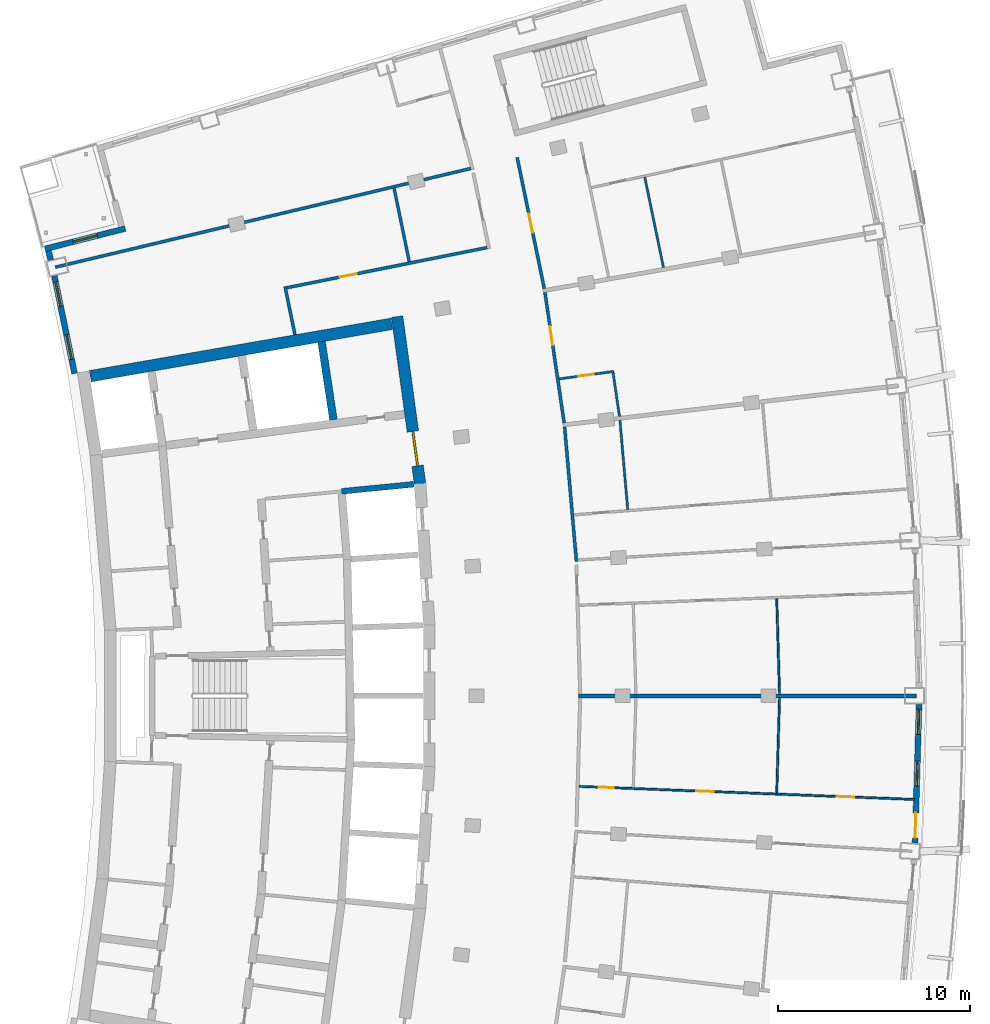
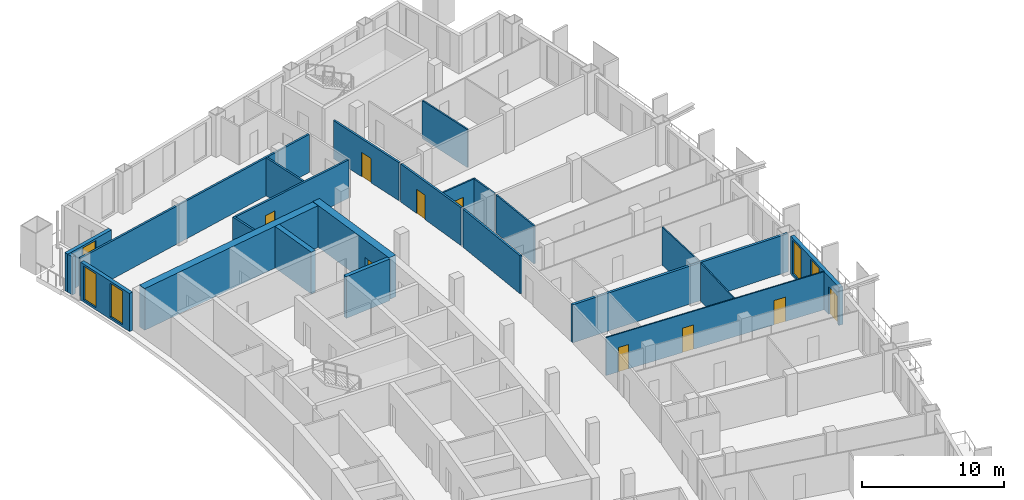
# One storey, part 13 of 19: 23 walls, 9 doors, 5 windows, 14 openings.
"""IFC4 building model written with IfcOpenShell, lengths in metres."""

import ifcopenshell
import ifcopenshell.guid

model = None  # the IFC model being written
_history = None  # IfcOwnerHistory: only IFC2X3 demands one
_inside = {}  # id of a spatial element -> (the spatial element, [elements in it])
_under = {}  # id of a project, library or spatial element -> (it, [spatial elements below it])
_declared = {}  # id of a project -> (the project, [libraries it declares])
_typed = {}  # id of a type object -> (the type object, [elements of that type])
_made_of = {}  # id of a material, layer set ... -> (it, [elements and type objects made of it])


def new_model(schema):
    """Start an empty IFC model of exactly this schema.

    Asked for "IFC4X3", IfcOpenShell would pick the latest addendum, in which some entities
    have other attributes; the version numbers below select the first issue.
    IFC2X3 requires an IfcOwnerHistory on every rooted entity: one is made here for all.
    """
    global model, _history
    if schema == "IFC4X3":
        model = ifcopenshell.file(schema_version=(4, 3, 0, 0))
    else:
        model = ifcopenshell.file(schema=schema)
    _inside.clear()
    _under.clear()
    _declared.clear()
    _typed.clear()
    _made_of.clear()
    _history = None
    if model.schema == "IFC2X3":
        org = make("IfcOrganization", Name="unknown")
        user = make(
            "IfcPersonAndOrganization",
            ThePerson=make("IfcPerson", FamilyName="unknown"),
            TheOrganization=org,
        )
        app = make(
            "IfcApplication",
            ApplicationDeveloper=org,
            Version="unknown",
            ApplicationFullName="unknown",
            ApplicationIdentifier="unknown",
        )
        _history = make(
            "IfcOwnerHistory",
            OwningUser=user,
            OwningApplication=app,
            ChangeAction="ADDED",
            CreationDate=0,
        )
    return model


def make(cls, **values):
    """One entity of the class cls with the attributes given. An attribute that is None is left unset."""
    return model.create_entity(
        cls, **{name: value for name, value in values.items() if value is not None}
    )


def rooted(cls, **values):
    """An entity with a GlobalId (a new one), such as an element, a storey or a relation."""
    return make(cls, GlobalId=ifcopenshell.guid.new(), OwnerHistory=_history, **values)


def si_unit(unit_type, name, prefix=None):
    """IfcSIUnit, for example si_unit("LENGTHUNIT", "METRE", prefix="MILLI")."""
    return make("IfcSIUnit", UnitType=unit_type, Prefix=prefix, Name=name)


def assignment(units):
    """IfcUnitAssignment: the units of a project."""
    return None if units is None else make("IfcUnitAssignment", Units=units)


def point(xyz):
    """IfcCartesianPoint."""
    return None if xyz is None else make("IfcCartesianPoint", Coordinates=xyz)


def direction(xyz):
    """IfcDirection."""
    return None if xyz is None else make("IfcDirection", DirectionRatios=xyz)


def frame(location, z_axis=None, x_axis=None):
    """IfcAxis2Placement3D, a coordinate frame: its origin and axes. An axis left out is left unset."""
    return make(
        "IfcAxis2Placement3D",
        Location=point(location),
        Axis=direction(z_axis),
        RefDirection=direction(x_axis),
    )


def frame_2d(location, x_axis=None):
    """IfcAxis2Placement2D, a coordinate frame in the plane: its origin and x axis."""
    return make(
        "IfcAxis2Placement2D", Location=point(location), RefDirection=direction(x_axis)
    )


def origin():
    """The frame at (0, 0, 0) with its axes left unset."""
    return frame((0.0, 0.0, 0.0))


def place(relative_to, where):
    """IfcLocalPlacement: puts the frame where relative to a parent placement (None: the world)."""
    return make(
        "IfcLocalPlacement", PlacementRelTo=relative_to, RelativePlacement=where
    )


def context(
    kind, dimensions, precision=None, world=None, true_north=None, identifier=None
):
    """IfcGeometricRepresentationContext, for example the 3D "Model" context."""
    return make(
        "IfcGeometricRepresentationContext",
        ContextIdentifier=identifier,
        ContextType=kind,
        CoordinateSpaceDimension=dimensions,
        Precision=precision,
        WorldCoordinateSystem=world,
        TrueNorth=true_north,
    )


def subcontext(parent, identifier, kind, view, scale=None):
    """IfcGeometricRepresentationSubContext, for example "Body" below "Model"."""
    return make(
        "IfcGeometricRepresentationSubContext",
        ContextIdentifier=identifier,
        ContextType=kind,
        ParentContext=parent,
        TargetScale=scale,
        TargetView=view,
    )


def project(units=None, contexts=None):
    """IfcProject with its units and contexts."""
    return rooted(
        "IfcProject",
        Name="project",
        RepresentationContexts=contexts,
        UnitsInContext=assignment(units),
    )


def spatial(cls, under=None, at=None, **own):
    """A site, building, storey or space (cls), placed at a placement, below another one or the project."""
    s = rooted(cls, ObjectPlacement=at, **own)
    if under is not None:
        _under.setdefault(under.id(), (under, []))[1].append(s)
    return s


def profile(cls, at=None, kind="AREA", **sizes):
    """A parametric profile (cls). Its sizes go by their IFC names, for example OverallWidth=200.0."""
    return make(cls, ProfileType=kind, Position=at, **sizes)


def rectangle(**sizes):
    """IfcRectangleProfileDef."""
    return profile("IfcRectangleProfileDef", **sizes)


def extrude(swept, where, along, depth):
    """IfcExtrudedAreaSolid: the profile swept, set in the frame where, extruded along a direction by depth."""
    return make(
        "IfcExtrudedAreaSolid",
        SweptArea=swept,
        Position=where,
        ExtrudedDirection=direction(along),
        Depth=depth,
    )


def shape(context_of_items, identifier, shape_type, items):
    """IfcShapeRepresentation: the items that make up one representation, for example the "Body"."""
    return make(
        "IfcShapeRepresentation",
        ContextOfItems=context_of_items,
        RepresentationIdentifier=identifier,
        RepresentationType=shape_type,
        Items=items,
    )


def material(Name=None, Category=None):
    """IfcMaterial."""
    return make("IfcMaterial", Name=Name, Category=Category)


def layer(
    of_material, thickness, ventilated=None, Name=None, Category=None, Priority=None
):
    """IfcMaterialLayer: one layer of a wall or slab, of a material (None: an air gap)."""
    return make(
        "IfcMaterialLayer",
        Material=of_material,
        LayerThickness=thickness,
        IsVentilated=ventilated,
        Name=Name,
        Category=Category,
        Priority=Priority,
    )


def layer_set(layers, Name=None):
    """IfcMaterialLayerSet."""
    return make("IfcMaterialLayerSet", MaterialLayers=layers, LayerSetName=Name)


def made_of(thing, what):
    """Note that an element or type object is made of a material, layer set ...; save() writes the relation."""
    if what is not None:
        _made_of.setdefault(what.id(), (what, []))[1].append(thing)
    return thing


def type_object(cls, material=None, **own):
    """A type object (cls), such as IfcWallType, which elements share."""
    return made_of(rooted(cls, **own), material)


def element(
    cls,
    number,
    at=None,
    inside=None,
    cuts=None,
    type_object=None,
    material=None,
    context=None,
    identifier="Body",
    shape_type=None,
    held_by="IfcProductDefinitionShape",
    body=None,
    shapes=None,
    **own,
):
    """One element of the class cls, such as IfcWall. Its Tag is "e" and its number.

    at: its placement. inside: the storey or other place that contains it. cuts: it is an
    opening in that element (IfcRelVoidsElement). A single representation is given by context,
    identifier, shape_type and body (its items); several are given by shapes. held_by: the class
    of the entity that holds the representations. save() writes the other relations.
    """
    e = rooted(cls, Tag="e%d" % number, ObjectPlacement=at, **own)
    if body is not None:
        shapes = [shape(context, identifier, shape_type, body)]
    if shapes is not None:
        e.Representation = make(held_by, Representations=shapes)
    if inside is not None:
        _inside.setdefault(inside.id(), (inside, []))[1].append(e)
    if cuts is not None:
        rooted(
            "IfcRelVoidsElement", RelatingBuildingElement=cuts, RelatedOpeningElement=e
        )
    if type_object is not None:
        _typed.setdefault(type_object.id(), (type_object, []))[1].append(e)
    return made_of(e, material)


def fill(opening, filler):
    """IfcRelFillsElement: the door or window that sits in an opening."""
    return rooted(
        "IfcRelFillsElement",
        RelatingOpeningElement=opening,
        RelatedBuildingElement=filler,
    )


def aggregate(whole, parts):
    """IfcRelAggregates: a whole, such as a stair, and the parts it consists of."""
    return rooted("IfcRelAggregates", RelatingObject=whole, RelatedObjects=parts)


def save(model, path):
    """Write the relations noted so far, then the file.

    IfcRelAggregates (storeys below a building ...), IfcRelContainedInSpatialStructure (elements
    in a storey), IfcRelDefinesByType, IfcRelAssociatesMaterial and IfcRelDeclares: one each for
    every whole, place, type object, material and project.
    """
    for whole, parts in _under.values():
        aggregate(whole, parts)
    for where, things in _inside.values():
        rooted(
            "IfcRelContainedInSpatialStructure",
            RelatedElements=things,
            RelatingStructure=where,
        )
    for kind, things in _typed.values():
        rooted("IfcRelDefinesByType", RelatedObjects=things, RelatingType=kind)
    for what, things in _made_of.values():
        rooted("IfcRelAssociatesMaterial", RelatedObjects=things, RelatingMaterial=what)
    for by, libraries in _declared.values():
        rooted("IfcRelDeclares", RelatingContext=by, RelatedDefinitions=libraries)
    model.write(path)


model = new_model("IFC4")

# Units and contexts
model_context = context("Model", 3, precision=1e-05, world=origin(), true_north=direction((0.0, 1.0)))
body_context = subcontext(model_context, "Body", "Model", "MODEL_VIEW")
ifc_project = project(units=[si_unit("LENGTHUNIT", "METRE"), si_unit("AREAUNIT", "SQUARE_METRE"), si_unit("VOLUMEUNIT", "CUBIC_METRE"), si_unit("PLANEANGLEUNIT", "RADIAN"), si_unit("MASSUNIT", "GRAM", prefix="KILO")], contexts=[model_context])

# Site, building, storey
site_placement = place(None, origin())
site = spatial("IfcSite", under=ifc_project, at=site_placement, CompositionType="ELEMENT")
building_placement = place(site_placement, origin())
building = spatial("IfcBuilding", under=site, at=building_placement, Name="Alderwake Tower", CompositionType="ELEMENT")
storey_placement = place(building_placement, frame((0.0, 0.0, 192.800048828125)))
storey = spatial("IfcBuildingStorey", under=building, at=storey_placement, Name="L47", CompositionType="ELEMENT", Elevation=192.800048828125)

# Wall, opening, door
ifc_material_1 = material(Name="Concrete C70/85", Category="concrete")
ifc_layer_1 = layer(ifc_material_1, 0.60009765625)
ifc_layer_set_1 = layer_set([ifc_layer_1], Name="Core wall outer 600 C70-85")
wall_type_1 = type_object("IfcWallType", Name="Core wall outer 600 C70-85", PredefinedType="SHEAR", material=ifc_layer_set_1)
wall_1_placement = place(storey_placement, frame((31.66796875, 80.743896484375, 0.0), z_axis=(0.0, 0.0, 1.0), x_axis=(0.135856583698, -0.990728514108, 0.0)))
wall_1 = element("IfcWall", 1, at=wall_1_placement, inside=storey, type_object=wall_type_1, Name="Core wall CW.014", PredefinedType="SHEAR", context=body_context, shape_type="SweptSolid", body=[
    extrude(rectangle(XDim=8.79296875, YDim=0.60009765625, at=frame_2d((4.396484375, 0.0))), origin(), (0.0, 0.0, 1.0), 3.599853515625),
])
opening_1_placement = place(wall_1_placement, frame((6.038818359375, 0.0, 0.0)))
opening_1 = element("IfcOpeningElement", 2, at=opening_1_placement, cuts=wall_1, Name="Opening C001", PredefinedType="OPENING", context=body_context, shape_type="SweptSolid", body=[
    extrude(rectangle(XDim=1.800048828125, YDim=2.10009765625, at=frame_2d((0.89990234375, 1.050048828125))), frame((0.0, 0.31005859375, 0.0), z_axis=(0.0, -1.0, 0.0), x_axis=(1.0, 0.0, 0.0)), (0.0, 0.0, 1.0), 0.6201171875),
])
ifc_material_2 = material(Name="Steel-framed fire door leaves", Category="steel")
door_type_1 = type_object("IfcDoorType", Name="Core double door 1800 fire-rated", OperationType="DOUBLE_DOOR_SINGLE_SWING", PredefinedType="DOOR", material=ifc_material_2)
door_1_placement = place(opening_1_placement, origin())
door_1 = element("IfcDoor", 3, at=door_1_placement, inside=storey, type_object=door_type_1, Name="Lobby double door", OperationType="DOUBLE_DOOR_SINGLE_SWING", OverallHeight=2.10009765625, OverallWidth=1.800048828125, PredefinedType="DOOR", context=body_context, shape_type="SweptSolid", body=[
    extrude(rectangle(XDim=1.800048828125, YDim=2.10009765625, at=frame_2d((0.89990234375, 1.050048828125))), frame((0.0, 0.050048828125, 0.0), z_axis=(0.0, -1.0, 0.0), x_axis=(1.0, 0.0, 0.0)), (0.0, 0.0, 1.0), 0.10009765625),
])
fill(opening_1, door_1)

# Walls
wall_2_placement = place(storey_placement, frame((15.68896484375, 77.6357421875, 0.0), z_axis=(0.0, 0.0, 1.0), x_axis=(0.985223223422, 0.17127521721, 0.0)))
element("IfcWall", 4, at=wall_2_placement, inside=storey, type_object=wall_type_1, Name="Core wall CW.055", PredefinedType="SHEAR", context=body_context, shape_type="SweptSolid", body=[
    extrude(rectangle(XDim=15.933349609375, YDim=0.60009765625, at=frame_2d((7.966796875, 0.0))), origin(), (0.0, 0.0, 1.0), 3.599853515625),
])
ifc_material_3 = material(Name="Concrete C70/85", Category="concrete")
ifc_layer_2 = layer(ifc_material_3, 0.300048828125)
ifc_layer_set_2 = layer_set([ifc_layer_2], Name="Core wall shaft 300 C70-85")
wall_type_2 = type_object("IfcWallType", Name="Core wall shaft 300 C70-85", PredefinedType="SHEAR", material=ifc_layer_set_2)
wall_3_placement = place(storey_placement, frame((28.780517578125, 71.644287109375, 0.0), z_axis=(0.0, 0.0, 1.0), x_axis=(0.995245280185, 0.097400370992, 0.0)))
element("IfcWall", 5, at=wall_3_placement, inside=storey, type_object=wall_type_2, Name="Core wall CW.049", PredefinedType="SHEAR", context=body_context, shape_type="SweptSolid", body=[
    extrude(rectangle(XDim=3.769775390625, YDim=0.300048828125, at=frame_2d((1.884765625, 0.0))), origin(), (0.0, 0.0, 1.0), 3.599853515625),
])
ifc_material_4 = material(Name="Concrete C70/85", Category="concrete")
ifc_layer_3 = layer(ifc_material_4, 0.39990234375)
ifc_layer_set_3 = layer_set([ifc_layer_3], Name="Core wall spine 400 C70-85")
wall_type_3 = type_object("IfcWallType", Name="Core wall spine 400 C70-85", PredefinedType="SHEAR", material=ifc_layer_set_3)
wall_4_placement = place(storey_placement, frame((28.350830078125, 75.373291015625, 0.0), z_axis=(0.0, 0.0, 1.0), x_axis=(-0.150143035921, 0.988664285167, 0.0)))
element("IfcWall", 6, at=wall_4_placement, inside=storey, type_object=wall_type_3, Name="Core wall CW.001", PredefinedType="SHEAR", context=body_context, shape_type="SweptSolid", body=[
    extrude(rectangle(XDim=4.1123046875, YDim=0.39990234375, at=frame_2d((2.05615234375, 0.0))), origin(), (0.0, 0.0, 1.0), 3.599853515625),
])
ifc_material_5 = material(Name="Gypsum board on metal studs, rated")
ifc_layer_4 = layer(ifc_material_5, 0.159912109375)
ifc_layer_set_4 = layer_set([ifc_layer_4], Name="Corridor wall 160")
wall_type_4 = type_object("IfcWallType", Name="Corridor wall 160", PredefinedType="PARTITIONING", material=ifc_layer_set_4)
wall_5_placement = place(storey_placement, frame((25.831787109375, 82.305419921875, 0.0), z_axis=(0.0, 0.0, 1.0), x_axis=(0.202450797205, -0.979292435747, 0.0)))
element("IfcWall", 7, at=wall_5_placement, inside=storey, type_object=wall_type_4, Name="WL/L47/W11", PredefinedType="PARTITIONING", context=body_context, shape_type="SweptSolid", body=[
    extrude(rectangle(XDim=2.555419921875, YDim=0.159912109375, at=frame_2d((1.27783203125, 0.0))), origin(), (0.0, 0.0, 1.0), 3.280029296875),
])
wall_6_placement = place(storey_placement, frame((35.502197265625, 88.451416015625, 0.0), z_axis=(0.0, 0.0, 1.0), x_axis=(-0.972894913244, -0.231247676278, 0.0)))
element("IfcWall", 8, at=wall_6_placement, inside=storey, type_object=wall_type_4, Name="WL/L47/W16", PredefinedType="PARTITIONING", context=body_context, shape_type="SweptSolid", body=[
    extrude(rectangle(XDim=22.220458984375, YDim=0.159912109375, at=frame_2d((11.1103515625, 0.0))), origin(), (0.0, 0.0, 1.0), 3.280029296875),
])

# Wall, opening, door
wall_7_placement = place(storey_placement, frame((25.926513671875, 82.24267578125, 0.0), z_axis=(0.0, 0.0, 1.0), x_axis=(0.98046310274, 0.196703086316, 0.0)))
wall_7 = element("IfcWall", 9, at=wall_7_placement, inside=storey, type_object=wall_type_4, Name="WL/L47/W19", PredefinedType="PARTITIONING", context=body_context, shape_type="SweptSolid", body=[
    extrude(rectangle(XDim=10.637939453125, YDim=0.159912109375, at=frame_2d((5.31884765625, 0.0))), origin(), (0.0, 0.0, 1.0), 3.280029296875),
])
opening_2_placement = place(wall_7_placement, frame((2.80908203125, 0.0, 0.0)))
opening_2 = element("IfcOpeningElement", 10, at=opening_2_placement, cuts=wall_7, Name="Opening R13-SBN1", PredefinedType="OPENING", context=body_context, shape_type="SweptSolid", body=[
    extrude(rectangle(XDim=0.89990234375, YDim=2.10009765625, at=frame_2d((0.449951171875, 1.050048828125))), frame((0.0, 0.08984375, 0.0), z_axis=(0.0, -1.0, 0.0), x_axis=(1.0, 0.0, 0.0)), (0.0, 0.0, 1.0), 0.179931640625),
])
ifc_material_6 = material(Name="Painted timber leaf", Category="wood")
door_type_2 = type_object("IfcDoorType", Name="Room door 900", OperationType="SINGLE_SWING_LEFT", PredefinedType="DOOR", material=ifc_material_6)
door_2_placement = place(opening_2_placement, origin())
door_2 = element("IfcDoor", 11, at=door_2_placement, inside=storey, type_object=door_type_2, Name="DR/L47/SBN1", OperationType="SINGLE_SWING_LEFT", OverallHeight=2.10009765625, OverallWidth=0.89990234375, PredefinedType="DOOR", context=body_context, shape_type="SweptSolid", body=[
    extrude(rectangle(XDim=0.89990234375, YDim=2.10009765625, at=frame_2d((0.449951171875, 1.050048828125))), frame((0.0, 0.02490234375, 0.0), z_axis=(0.0, -1.0, 0.0), x_axis=(1.0, 0.0, 0.0)), (0.0, 0.0, 1.0), 0.050048828125),
])
fill(opening_2, door_2)

wall_8_placement = place(storey_placement, frame((37.9169921875, 89.02490234375, 0.0), z_axis=(0.0, 0.0, 1.0), x_axis=(0.202416809878, -0.97929946139, 0.0)))
wall_8 = element("IfcWall", 12, at=wall_8_placement, inside=storey, type_object=wall_type_4, Name="WL/L47/W22", PredefinedType="PARTITIONING", context=body_context, shape_type="SweptSolid", body=[
    extrude(rectangle(XDim=6.97021484375, YDim=0.159912109375, at=frame_2d((3.485107421875, 0.0))), origin(), (0.0, 0.0, 1.0), 3.280029296875),
])
opening_3_placement = place(wall_8_placement, frame((2.985595703125, 0.0, 0.0)))
opening_3 = element("IfcOpeningElement", 13, at=opening_3_placement, cuts=wall_8, Name="Opening R13-U07.2", PredefinedType="OPENING", context=body_context, shape_type="SweptSolid", body=[
    extrude(rectangle(XDim=1.0, YDim=2.10009765625, at=frame_2d((0.5, 1.050048828125))), frame((0.0, 0.08984375, 0.0), z_axis=(0.0, -1.0, 0.0), x_axis=(1.0, 0.0, 0.0)), (0.0, 0.0, 1.0), 0.179931640625),
])
ifc_material_7 = material(Name="Solid timber leaf in steel frame", Category="steel")
door_type_3 = type_object("IfcDoorType", Name="Flat entrance door 1000 fire-rated", OperationType="SINGLE_SWING_LEFT", PredefinedType="DOOR", material=ifc_material_7)
door_3_placement = place(opening_3_placement, origin())
door_3 = element("IfcDoor", 14, at=door_3_placement, inside=storey, type_object=door_type_3, Name="DR/L47/U07.2", OperationType="SINGLE_SWING_LEFT", OverallHeight=2.10009765625, OverallWidth=1.0, PredefinedType="DOOR", context=body_context, shape_type="SweptSolid", body=[
    extrude(rectangle(XDim=1.0, YDim=2.10009765625, at=frame_2d((0.5, 1.050048828125))), frame((0.0, 0.02490234375, 0.0), z_axis=(0.0, -1.0, 0.0), x_axis=(1.0, 0.0, 0.0)), (0.0, 0.0, 1.0), 0.050048828125),
])
fill(opening_3, door_3)

wall_9_placement = place(storey_placement, frame((39.362548828125, 82.001953125, 0.0), z_axis=(0.0, 0.0, 1.0), x_axis=(0.145565626222, -0.98934859805, 0.0)))
wall_9 = element("IfcWall", 15, at=wall_9_placement, inside=storey, type_object=wall_type_4, Name="WL/L47/W24", PredefinedType="PARTITIONING", context=body_context, shape_type="SweptSolid", body=[
    extrude(rectangle(XDim=6.8681640625, YDim=0.159912109375, at=frame_2d((3.43408203125, 0.0))), origin(), (0.0, 0.0, 1.0), 3.280029296875),
])
opening_4_placement = place(wall_9_placement, frame((1.782470703125, 0.0, 0.0)))
opening_4 = element("IfcOpeningElement", 16, at=opening_4_placement, cuts=wall_9, Name="Opening R13-U06.1", PredefinedType="OPENING", context=body_context, shape_type="SweptSolid", body=[
    extrude(rectangle(XDim=1.0, YDim=2.10009765625, at=frame_2d((0.5, 1.050048828125))), frame((0.0, 0.08984375, 0.0), z_axis=(0.0, -1.0, 0.0), x_axis=(1.0, 0.0, 0.0)), (0.0, 0.0, 1.0), 0.179931640625),
])
door_4_placement = place(opening_4_placement, origin())
door_4 = element("IfcDoor", 17, at=door_4_placement, inside=storey, type_object=door_type_3, Name="DR/L47/U06.1", OperationType="SINGLE_SWING_LEFT", OverallHeight=2.10009765625, OverallWidth=1.0, PredefinedType="DOOR", context=body_context, shape_type="SweptSolid", body=[
    extrude(rectangle(XDim=1.0, YDim=2.10009765625, at=frame_2d((0.5, 1.050048828125))), frame((0.0, 0.02490234375, 0.0), z_axis=(0.0, -1.0, 0.0), x_axis=(1.0, 0.0, 0.0)), (0.0, 0.0, 1.0), 0.050048828125),
])
fill(opening_4, door_4)

# Wall
wall_10_placement = place(storey_placement, frame((41.001953125, 67.9873046875, 0.0), z_axis=(0.0, 0.0, 1.0), x_axis=(-0.087430787456, 0.996170596537, 0.0)))
element("IfcWall", 18, at=wall_10_placement, inside=storey, type_object=wall_type_4, Name="WL/L47/W26", PredefinedType="PARTITIONING", context=body_context, shape_type="SweptSolid", body=[
    extrude(rectangle(XDim=7.048095703125, YDim=0.159912109375, at=frame_2d((3.52392578125, 0.0))), origin(), (0.0, 0.0, 1.0), 3.280029296875),
])

# Wall, openings, door, windows
ifc_material_8 = material(Name="Precast concrete C50/60 spandrel panel", Category="concrete")
ifc_layer_5 = layer(ifc_material_8, 0.300048828125)
ifc_layer_set_5 = layer_set([ifc_layer_5], Name="External wall EW1 Precast concrete C50/60 spandrel")
wall_type_5 = type_object("IfcWallType", Name="External wall EW1 Precast concrete C50/60 spandrel", PredefinedType="SOLIDWALL", material=ifc_layer_set_5)
wall_11_placement = place(storey_placement, frame((58.626708984375, 53.352294921875, 0.0), z_axis=(0.0, 0.0, 1.0), x_axis=(0.0291809358, 0.999574145817, 0.0)))
wall_11 = element("IfcWall", 19, at=wall_11_placement, inside=storey, type_object=wall_type_5, Name="External wall 15", PredefinedType="SOLIDWALL", context=body_context, shape_type="SweptSolid", body=[
    extrude(rectangle(XDim=7.20361328125, YDim=0.300048828125, at=frame_2d((3.601806640625, 0.0))), origin(), (0.0, 0.0, 1.0), 3.280029296875),
])
opening_5_placement = place(wall_11_placement, frame((0.257080078125, 0.0, 0.0)))
opening_5 = element("IfcOpeningElement", 20, at=opening_5_placement, cuts=wall_11, Name="Opening D04", PredefinedType="OPENING", context=body_context, shape_type="SweptSolid", body=[
    extrude(rectangle(XDim=1.300048828125, YDim=2.39990234375, at=frame_2d((0.64990234375, 1.199951171875))), frame((0.0, 0.159912109375, 0.0), z_axis=(0.0, -1.0, 0.0), x_axis=(1.0, 0.0, 0.0)), (0.0, 0.0, 1.0), 0.320068359375),
])
opening_6_placement = place(wall_11_placement, frame((2.951904296875, 0.0, 0.199951171875)))
opening_6 = element("IfcOpeningElement", 21, at=opening_6_placement, cuts=wall_11, Name="Opening W1", PredefinedType="OPENING", context=body_context, shape_type="SweptSolid", body=[
    extrude(rectangle(XDim=1.300048828125, YDim=2.89990234375, at=frame_2d((0.64990234375, 1.449951171875))), frame((0.0, 0.159912109375, 0.0), z_axis=(0.0, -1.0, 0.0), x_axis=(1.0, 0.0, 0.0)), (0.0, 0.0, 1.0), 0.320068359375),
])
opening_7_placement = place(wall_11_placement, frame((5.646484375, 0.0, 0.199951171875)))
opening_7 = element("IfcOpeningElement", 22, at=opening_7_placement, cuts=wall_11, Name="Opening W1", PredefinedType="OPENING", context=body_context, shape_type="SweptSolid", body=[
    extrude(rectangle(XDim=1.300048828125, YDim=2.89990234375, at=frame_2d((0.64990234375, 1.449951171875))), frame((0.0, 0.159912109375, 0.0), z_axis=(0.0, -1.0, 0.0), x_axis=(1.0, 0.0, 0.0)), (0.0, 0.0, 1.0), 0.320068359375),
])
ifc_material_9 = material(Name="Bronze tinted glass in aluminium frame", Category="aluminium")
door_type_4 = type_object("IfcDoorType", Name="Balcony door BD sliding", OperationType="SLIDING_TO_LEFT", PredefinedType="DOOR", material=ifc_material_9)
door_5_placement = place(opening_5_placement, origin())
door_5 = element("IfcDoor", 23, at=door_5_placement, inside=storey, type_object=door_type_4, Name="Door D04", OperationType="SLIDING_TO_LEFT", OverallHeight=2.39990234375, OverallWidth=1.300048828125, PredefinedType="DOOR", context=body_context, shape_type="SweptSolid", body=[
    extrude(rectangle(XDim=1.300048828125, YDim=2.39990234375, at=frame_2d((0.64990234375, 1.199951171875))), frame((0.0, 0.02490234375, 0.0), z_axis=(0.0, -1.0, 0.0), x_axis=(1.0, 0.0, 0.0)), (0.0, 0.0, 1.0), 0.050048828125),
])
fill(opening_5, door_5)
ifc_material_10 = material(Name="Bronze tinted glass in aluminium frame", Category="aluminium")
window_type = type_object("IfcWindowType", Name="Window W1 tall fixed and vent", PartitioningType="DOUBLE_PANEL_VERTICAL", PredefinedType="WINDOW", material=ifc_material_10)
window_1_placement = place(opening_6_placement, origin())
window_1 = element("IfcWindow", 24, at=window_1_placement, inside=storey, type_object=window_type, Name="Window W1 tall fixed and vent", OverallHeight=2.89990234375, OverallWidth=1.300048828125, PartitioningType="DOUBLE_PANEL_VERTICAL", PredefinedType="WINDOW", context=body_context, shape_type="SweptSolid", body=[
    extrude(rectangle(XDim=1.300048828125, YDim=2.89990234375, at=frame_2d((0.64990234375, 1.449951171875))), frame((0.0, 0.030029296875, 0.0), z_axis=(0.0, -1.0, 0.0), x_axis=(1.0, 0.0, 0.0)), (0.0, 0.0, 1.0), 0.06005859375),
])
fill(opening_6, window_1)
window_2_placement = place(opening_7_placement, origin())
window_2 = element("IfcWindow", 25, at=window_2_placement, inside=storey, type_object=window_type, Name="Window W1 tall fixed and vent", OverallHeight=2.89990234375, OverallWidth=1.300048828125, PartitioningType="DOUBLE_PANEL_VERTICAL", PredefinedType="WINDOW", context=body_context, shape_type="SweptSolid", body=[
    extrude(rectangle(XDim=1.300048828125, YDim=2.89990234375, at=frame_2d((0.64990234375, 1.449951171875))), frame((0.0, 0.030029296875, 0.0), z_axis=(0.0, -1.0, 0.0), x_axis=(1.0, 0.0, 0.0)), (0.0, 0.0, 1.0), 0.06005859375),
])
fill(opening_7, window_2)

# Wall
wall_12_placement = place(storey_placement, frame((13.523193359375, 84.1572265625, 0.0), z_axis=(0.0, 0.0, 1.0), x_axis=(0.238448700846, -0.971155094238, 0.0)))
element("IfcWall", 26, at=wall_12_placement, inside=storey, type_object=wall_type_5, Name="External wall 30", PredefinedType="SOLIDWALL", context=body_context, shape_type="SweptSolid", body=[
    extrude(rectangle(XDim=0.47802734375, YDim=0.300048828125, at=frame_2d((0.239013671875, 0.0))), origin(), (0.0, 0.0, 1.0), 3.280029296875),
])

# Wall, openings, windows
wall_13_placement = place(storey_placement, frame((13.826904296875, 82.8544921875, 0.0), z_axis=(0.0, 0.0, 1.0), x_axis=(0.202730149235, -0.979234643276, 0.0)))
wall_13 = element("IfcWall", 27, at=wall_13_placement, inside=storey, type_object=wall_type_5, Name="External wall 31", PredefinedType="SOLIDWALL", context=body_context, shape_type="SweptSolid", body=[
    extrude(rectangle(XDim=5.185546875, YDim=0.300048828125, at=frame_2d((2.5927734375, 0.0))), origin(), (0.0, 0.0, 1.0), 3.280029296875),
])
opening_8_placement = place(wall_13_placement, frame((0.316162109375, 0.0, 0.199951171875)))
opening_8 = element("IfcOpeningElement", 28, at=opening_8_placement, cuts=wall_13, Name="Opening W1", PredefinedType="OPENING", context=body_context, shape_type="SweptSolid", body=[
    extrude(rectangle(XDim=1.300048828125, YDim=2.89990234375, at=frame_2d((0.64990234375, 1.449951171875))), frame((0.0, 0.159912109375, 0.0), z_axis=(0.0, -1.0, 0.0), x_axis=(1.0, 0.0, 0.0)), (0.0, 0.0, 1.0), 0.320068359375),
])
opening_9_placement = place(wall_13_placement, frame((3.12890625, 0.0, 0.199951171875)))
opening_9 = element("IfcOpeningElement", 29, at=opening_9_placement, cuts=wall_13, Name="Opening W1", PredefinedType="OPENING", context=body_context, shape_type="SweptSolid", body=[
    extrude(rectangle(XDim=1.300048828125, YDim=2.89990234375, at=frame_2d((0.64990234375, 1.449951171875))), frame((0.0, 0.159912109375, 0.0), z_axis=(0.0, -1.0, 0.0), x_axis=(1.0, 0.0, 0.0)), (0.0, 0.0, 1.0), 0.320068359375),
])
window_3_placement = place(opening_8_placement, origin())
window_3 = element("IfcWindow", 30, at=window_3_placement, inside=storey, type_object=window_type, Name="Window W1 tall fixed and vent", OverallHeight=2.89990234375, OverallWidth=1.300048828125, PartitioningType="DOUBLE_PANEL_VERTICAL", PredefinedType="WINDOW", context=body_context, shape_type="SweptSolid", body=[
    extrude(rectangle(XDim=1.300048828125, YDim=2.89990234375, at=frame_2d((0.64990234375, 1.449951171875))), frame((0.0, 0.030029296875, 0.0), z_axis=(0.0, -1.0, 0.0), x_axis=(1.0, 0.0, 0.0)), (0.0, 0.0, 1.0), 0.06005859375),
])
fill(opening_8, window_3)
window_4_placement = place(opening_9_placement, origin())
window_4 = element("IfcWindow", 31, at=window_4_placement, inside=storey, type_object=window_type, Name="Window W1 tall fixed and vent", OverallHeight=2.89990234375, OverallWidth=1.300048828125, PartitioningType="DOUBLE_PANEL_VERTICAL", PredefinedType="WINDOW", context=body_context, shape_type="SweptSolid", body=[
    extrude(rectangle(XDim=1.300048828125, YDim=2.89990234375, at=frame_2d((0.64990234375, 1.449951171875))), frame((0.0, 0.030029296875, 0.0), z_axis=(0.0, -1.0, 0.0), x_axis=(1.0, 0.0, 0.0)), (0.0, 0.0, 1.0), 0.06005859375),
])
fill(opening_9, window_4)

# Wall, opening, window
ifc_material_11 = material(Name="Bronze metal cladding on lightweight framing")
ifc_layer_6 = layer(ifc_material_11, 0.300048828125)
ifc_layer_set_6 = layer_set([ifc_layer_6], Name="External wall EW2 bronze metal cladding")
wall_type_6 = type_object("IfcWallType", Name="External wall EW2 bronze metal cladding", PredefinedType="SOLIDWALL", material=ifc_layer_set_6)
wall_14_placement = place(storey_placement, frame((17.51611328125, 85.32275390625, 0.0), z_axis=(0.0, 0.0, 1.0), x_axis=(-0.969417740682, -0.245416470617, 0.0)))
wall_14 = element("IfcWall", 32, at=wall_14_placement, inside=storey, type_object=wall_type_6, Name="External wall 29", PredefinedType="SOLIDWALL", context=body_context, shape_type="SweptSolid", body=[
    extrude(rectangle(XDim=4.305419921875, YDim=0.300048828125, at=frame_2d((2.15283203125, 0.0))), origin(), (0.0, 0.0, 1.0), 3.280029296875),
])
opening_10_placement = place(wall_14_placement, frame((1.502685546875, 0.0, 0.199951171875)))
opening_10 = element("IfcOpeningElement", 33, at=opening_10_placement, cuts=wall_14, Name="Opening W1", PredefinedType="OPENING", context=body_context, shape_type="SweptSolid", body=[
    extrude(rectangle(XDim=1.300048828125, YDim=2.89990234375, at=frame_2d((0.64990234375, 1.449951171875))), frame((0.0, 0.159912109375, 0.0), z_axis=(0.0, -1.0, 0.0), x_axis=(1.0, 0.0, 0.0)), (0.0, 0.0, 1.0), 0.320068359375),
])
window_5_placement = place(opening_10_placement, origin())
window_5 = element("IfcWindow", 34, at=window_5_placement, inside=storey, type_object=window_type, Name="Window W1 tall fixed and vent", OverallHeight=2.89990234375, OverallWidth=1.300048828125, PartitioningType="DOUBLE_PANEL_VERTICAL", PredefinedType="WINDOW", context=body_context, shape_type="SweptSolid", body=[
    extrude(rectangle(XDim=1.300048828125, YDim=2.89990234375, at=frame_2d((0.64990234375, 1.449951171875))), frame((0.0, 0.030029296875, 0.0), z_axis=(0.0, -1.0, 0.0), x_axis=(1.0, 0.0, 0.0)), (0.0, 0.0, 1.0), 0.06005859375),
])
fill(opening_10, window_5)

# Walls
ifc_material_12 = material(Name="Dense block masonry wall", Category="masonry")
ifc_layer_7 = layer(ifc_material_12, 0.199951171875)
ifc_layer_set_7 = layer_set([ifc_layer_7], Name="Party wall 200")
wall_type_7 = type_object("IfcWallType", Name="Party wall 200", PredefinedType="SOLIDWALL", material=ifc_layer_set_7)
wall_15_placement = place(storey_placement, frame((58.700927734375, 60.9990234375, 0.0), z_axis=(0.0, 0.0, 1.0), x_axis=(-1.0, 0.0, 0.0)))
element("IfcWall", 35, at=wall_15_placement, inside=storey, type_object=wall_type_7, Name="WL/L47/W03", PredefinedType="SOLIDWALL", context=body_context, shape_type="SweptSolid", body=[
    extrude(rectangle(XDim=17.58203125, YDim=0.199951171875, at=frame_2d((8.791015625, 0.0))), origin(), (0.0, 0.0, 1.0), 3.280029296875),
])
ifc_material_13 = material(Name="Gypsum shaft wall system, rated")
ifc_layer_8 = layer(ifc_material_13, 0.14990234375)
ifc_layer_set_8 = layer_set([ifc_layer_8], Name="Riser and shaft wall 150")
wall_type_8 = type_object("IfcWallType", Name="Riser and shaft wall 150", PredefinedType="PARTITIONING", material=ifc_layer_set_8)
wall_16_placement = place(storey_placement, frame((32.2998046875, 83.601318359375, 0.0), z_axis=(0.0, 0.0, 1.0), x_axis=(-0.202493797034, 0.979283545334, 0.0)))
element("IfcWall", 36, at=wall_16_placement, inside=storey, type_object=wall_type_8, Name="WL/L47/W05", PredefinedType="PARTITIONING", context=body_context, shape_type="SweptSolid", body=[
    extrude(rectangle(XDim=3.899169921875, YDim=0.14990234375, at=frame_2d((1.94970703125, 0.0))), origin(), (0.0, 0.0, 1.0), 3.280029296875),
])

# Wall, openings, doors
ifc_material_14 = material(Name="Gypsum board on metal studs")
ifc_layer_9 = layer(ifc_material_14, 0.10009765625)
ifc_layer_set_9 = layer_set([ifc_layer_9], Name="Unit partition 100")
wall_type_9 = type_object("IfcWallType", Name="Unit partition 100", PredefinedType="PARTITIONING", material=ifc_layer_set_9)
wall_17_placement = place(storey_placement, frame((41.143798828125, 56.285888671875, 0.0), z_axis=(0.0, 0.0, 1.0), x_axis=(0.999246022294, -0.038825081205, 0.0)))
wall_17 = element("IfcWall", 37, at=wall_17_placement, inside=storey, type_object=wall_type_9, Name="WL/L47/W46", PredefinedType="PARTITIONING", context=body_context, shape_type="SweptSolid", body=[
    extrude(rectangle(XDim=17.46240234375, YDim=0.10009765625, at=frame_2d((8.731201171875, 0.0))), origin(), (0.0, 0.0, 1.0), 3.280029296875),
])
opening_11_placement = place(wall_17_placement, frame((6.104248046875, 0.0, 0.0)))
opening_11 = element("IfcOpeningElement", 38, at=opening_11_placement, cuts=wall_17, Name="Opening R13-U04.5", PredefinedType="OPENING", context=body_context, shape_type="SweptSolid", body=[
    extrude(rectangle(XDim=0.89990234375, YDim=2.10009765625, at=frame_2d((0.449951171875, 1.050048828125))), frame((0.0, 0.06005859375, 0.0), z_axis=(0.0, -1.0, 0.0), x_axis=(1.0, 0.0, 0.0)), (0.0, 0.0, 1.0), 0.1201171875),
])
opening_12_placement = place(wall_17_placement, frame((1.0087890625, 0.0, 0.0)))
opening_12 = element("IfcOpeningElement", 39, at=opening_12_placement, cuts=wall_17, Name="Opening R13-U04.6", PredefinedType="OPENING", context=body_context, shape_type="SweptSolid", body=[
    extrude(rectangle(XDim=0.800048828125, YDim=2.10009765625, at=frame_2d((0.39990234375, 1.050048828125))), frame((0.0, 0.06005859375, 0.0), z_axis=(0.0, -1.0, 0.0), x_axis=(1.0, 0.0, 0.0)), (0.0, 0.0, 1.0), 0.1201171875),
])
opening_13_placement = place(wall_17_placement, frame((13.426025390625, 0.0, 0.0)))
opening_13 = element("IfcOpeningElement", 40, at=opening_13_placement, cuts=wall_17, Name="Opening R13-U04.7", PredefinedType="OPENING", context=body_context, shape_type="SweptSolid", body=[
    extrude(rectangle(XDim=0.89990234375, YDim=2.10009765625, at=frame_2d((0.449951171875, 1.050048828125))), frame((0.0, 0.06005859375, 0.0), z_axis=(0.0, -1.0, 0.0), x_axis=(1.0, 0.0, 0.0)), (0.0, 0.0, 1.0), 0.1201171875),
])
ifc_material_15 = material(Name="Painted timber leaf", Category="wood")
door_type_5 = type_object("IfcDoorType", Name="Bathroom door 800", OperationType="SINGLE_SWING_LEFT", PredefinedType="DOOR", material=ifc_material_15)
door_6_placement = place(opening_12_placement, origin())
door_6 = element("IfcDoor", 41, at=door_6_placement, inside=storey, type_object=door_type_5, Name="DR/L47/U04.6", OperationType="SINGLE_SWING_LEFT", OverallHeight=2.10009765625, OverallWidth=0.800048828125, PredefinedType="DOOR", context=body_context, shape_type="SweptSolid", body=[
    extrude(rectangle(XDim=0.800048828125, YDim=2.10009765625, at=frame_2d((0.39990234375, 1.050048828125))), frame((0.0, 0.02490234375, 0.0), z_axis=(0.0, -1.0, 0.0), x_axis=(1.0, 0.0, 0.0)), (0.0, 0.0, 1.0), 0.050048828125),
])
fill(opening_12, door_6)
door_7_placement = place(opening_11_placement, origin())
door_7 = element("IfcDoor", 42, at=door_7_placement, inside=storey, type_object=door_type_2, Name="DR/L47/U04.5", OperationType="SINGLE_SWING_LEFT", OverallHeight=2.10009765625, OverallWidth=0.89990234375, PredefinedType="DOOR", context=body_context, shape_type="SweptSolid", body=[
    extrude(rectangle(XDim=0.89990234375, YDim=2.10009765625, at=frame_2d((0.449951171875, 1.050048828125))), frame((0.0, 0.02490234375, 0.0), z_axis=(0.0, -1.0, 0.0), x_axis=(1.0, 0.0, 0.0)), (0.0, 0.0, 1.0), 0.050048828125),
])
fill(opening_11, door_7)
door_8_placement = place(opening_13_placement, origin())
door_8 = element("IfcDoor", 43, at=door_8_placement, inside=storey, type_object=door_type_2, Name="DR/L47/U04.7", OperationType="SINGLE_SWING_LEFT", OverallHeight=2.10009765625, OverallWidth=0.89990234375, PredefinedType="DOOR", context=body_context, shape_type="SweptSolid", body=[
    extrude(rectangle(XDim=0.89990234375, YDim=2.10009765625, at=frame_2d((0.449951171875, 1.050048828125))), frame((0.0, 0.02490234375, 0.0), z_axis=(0.0, -1.0, 0.0), x_axis=(1.0, 0.0, 0.0)), (0.0, 0.0, 1.0), 0.050048828125),
])
fill(opening_13, door_8)

# Walls
wall_18_placement = place(storey_placement, frame((51.427490234375, 55.93701171875, 0.0), z_axis=(0.0, 0.0, 1.0), x_axis=(0.029312335146, 0.999570301184, 0.0)))
element("IfcWall", 44, at=wall_18_placement, inside=storey, type_object=wall_type_9, Name="WL/L47/W53", PredefinedType="PARTITIONING", context=body_context, shape_type="SweptSolid", body=[
    extrude(rectangle(XDim=4.964111328125, YDim=0.10009765625, at=frame_2d((2.48193359375, 0.0))), origin(), (0.0, 0.0, 1.0), 3.280029296875),
])
wall_19_placement = place(storey_placement, frame((51.572998046875, 61.09912109375, 0.0), z_axis=(0.0, 0.0, 1.0), x_axis=(-0.02929505318, 0.999570807827, 0.0)))
element("IfcWall", 45, at=wall_19_placement, inside=storey, type_object=wall_type_9, Name="WL/L47/W54", PredefinedType="PARTITIONING", context=body_context, shape_type="SweptSolid", body=[
    extrude(rectangle(XDim=4.967041015625, YDim=0.10009765625, at=frame_2d((2.4833984375, 0.0))), origin(), (0.0, 0.0, 1.0), 3.280029296875),
])

# Wall, opening, door
ifc_material_16 = material(Name="Moisture resistant gypsum board on metal studs")
ifc_layer_10 = layer(ifc_material_16, 0.1201171875)
ifc_layer_set_10 = layer_set([ifc_layer_10], Name="Wet room partition 120")
wall_type_10 = type_object("IfcWallType", Name="Wet room partition 120", PredefinedType="PARTITIONING", material=ifc_layer_set_10)
wall_20_placement = place(storey_placement, frame((42.95947265625, 77.88818359375, 0.0), z_axis=(0.0, 0.0, 1.0), x_axis=(-0.99077593985, -0.135510283793, 0.0)))
wall_20 = element("IfcWall", 46, at=wall_20_placement, inside=storey, type_object=wall_type_10, Name="WL/L47/W36", PredefinedType="PARTITIONING", context=body_context, shape_type="SweptSolid", body=[
    extrude(rectangle(XDim=2.880859375, YDim=0.1201171875, at=frame_2d((1.4404296875, 0.0))), origin(), (0.0, 0.0, 1.0), 3.280029296875),
])
opening_14_placement = place(wall_20_placement, frame((1.071044921875, 0.0, 0.0)))
opening_14 = element("IfcOpeningElement", 47, at=opening_14_placement, cuts=wall_20, Name="Opening R13-U06.2", PredefinedType="OPENING", context=body_context, shape_type="SweptSolid", body=[
    extrude(rectangle(XDim=0.800048828125, YDim=2.10009765625, at=frame_2d((0.39990234375, 1.050048828125))), frame((0.0, 0.070068359375, 0.0), z_axis=(0.0, -1.0, 0.0), x_axis=(1.0, 0.0, 0.0)), (0.0, 0.0, 1.0), 0.14013671875),
])
door_9_placement = place(opening_14_placement, origin())
door_9 = element("IfcDoor", 48, at=door_9_placement, inside=storey, type_object=door_type_5, Name="DR/L47/U06.2", OperationType="SINGLE_SWING_LEFT", OverallHeight=2.10009765625, OverallWidth=0.800048828125, PredefinedType="DOOR", context=body_context, shape_type="SweptSolid", body=[
    extrude(rectangle(XDim=0.800048828125, YDim=2.10009765625, at=frame_2d((0.39990234375, 1.050048828125))), frame((0.0, 0.02490234375, 0.0), z_axis=(0.0, -1.0, 0.0), x_axis=(1.0, 0.0, 0.0)), (0.0, 0.0, 1.0), 0.050048828125),
])
fill(opening_14, door_9)

# Walls
wall_21_placement = place(storey_placement, frame((43.242431640625, 75.5458984375, 0.0), z_axis=(0.0, 0.0, 1.0), x_axis=(-0.145166859028, 0.989407187684, 0.0)))
element("IfcWall", 49, at=wall_21_placement, inside=storey, type_object=wall_type_10, Name="WL/L47/W38", PredefinedType="PARTITIONING", context=body_context, shape_type="SweptSolid", body=[
    extrude(rectangle(XDim=2.299072265625, YDim=0.1201171875, at=frame_2d((1.1494140625, 0.0))), origin(), (0.0, 0.0, 1.0), 3.280029296875),
])
wall_22_placement = place(storey_placement, frame((43.672607421875, 70.687744140625, 0.0), z_axis=(0.0, 0.0, 1.0), x_axis=(-0.087010256841, 0.996207415755, 0.0)))
element("IfcWall", 50, at=wall_22_placement, inside=storey, type_object=wall_type_10, Name="WL/L47/W39", PredefinedType="PARTITIONING", context=body_context, shape_type="SweptSolid", body=[
    extrude(rectangle(XDim=4.677490234375, YDim=0.1201171875, at=frame_2d((2.3388671875, 0.0))), origin(), (0.0, 0.0, 1.0), 3.280029296875),
])
wall_23_placement = place(storey_placement, frame((45.53173828125, 83.297119140625, 0.0), z_axis=(0.0, 0.0, 1.0), x_axis=(-0.202763480801, 0.979227742077, 0.0)))
element("IfcWall", 51, at=wall_23_placement, inside=storey, type_object=wall_type_10, Name="WL/L47/W42", PredefinedType="PARTITIONING", context=body_context, shape_type="SweptSolid", body=[
    extrude(rectangle(XDim=4.806640625, YDim=0.1201171875, at=frame_2d((2.4033203125, 0.0))), origin(), (0.0, 0.0, 1.0), 3.280029296875),
])

save(model, "model.ifc")
